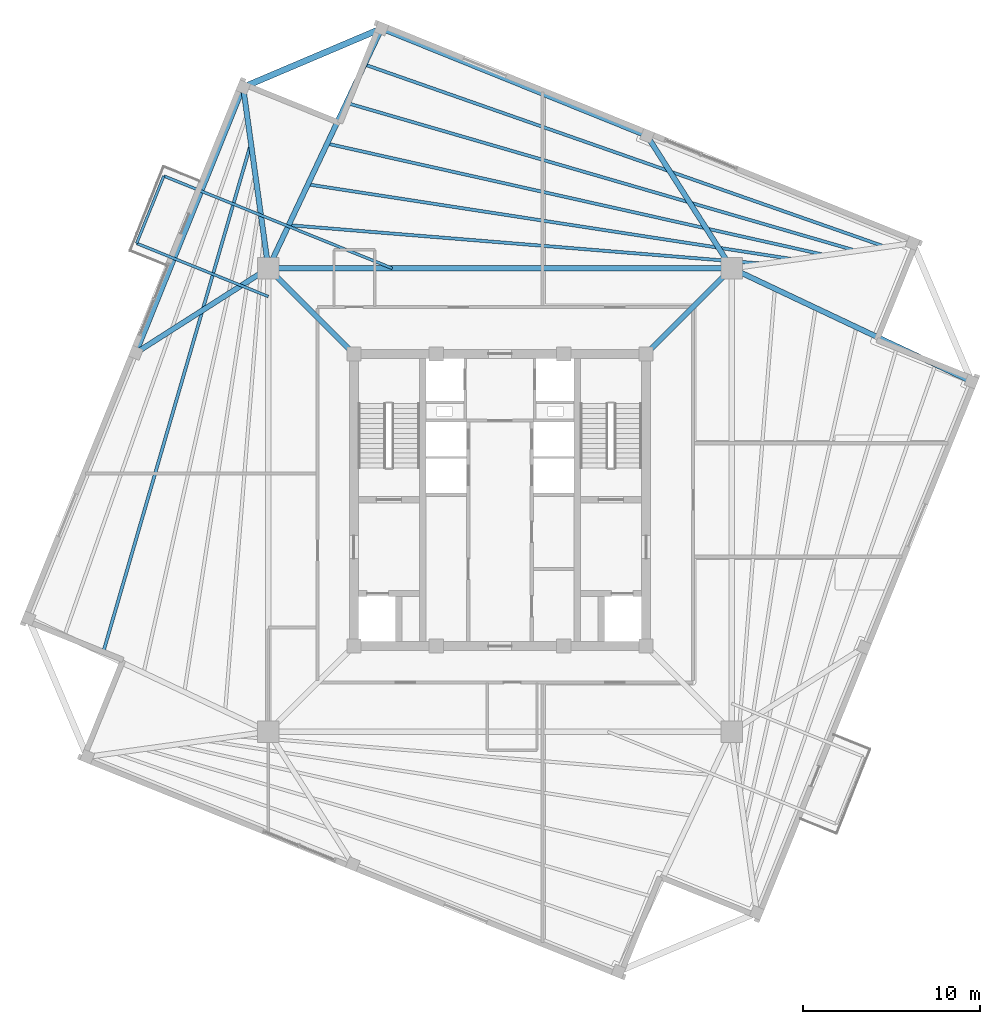
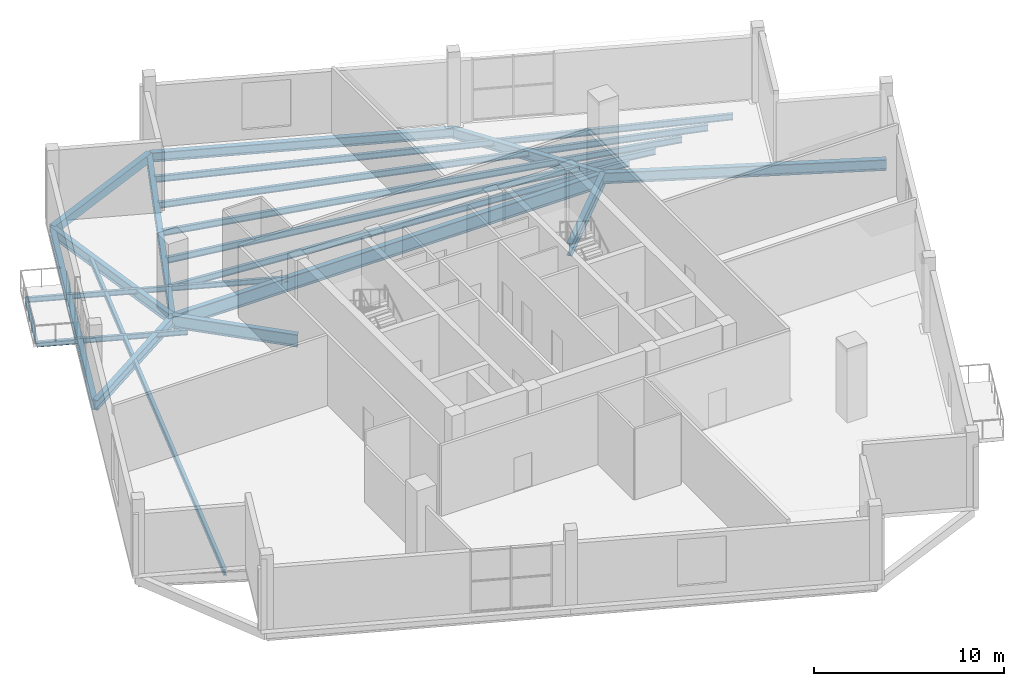
# One storey, part 5 of 12: 20 beams.
"""IFC4 building model written with IfcOpenShell, lengths in metres."""

from ifc_helpers import new_model, si_unit, direction, frame, origin, origin_2d, place, context, subcontext, project, spatial, rectangle, i_section, extrude, source, transform, mapped, material, material_profile, profile_set, type_object, element, save


model = new_model("IFC4")

# Units and contexts
model_context = context("Model", 3, precision=1e-05, world=origin(), true_north=direction((0.0, 1.0)))
body_context = subcontext(model_context, "Body", "Model", "MODEL_VIEW")
ifc_project = project(units=[si_unit("LENGTHUNIT", "METRE"), si_unit("AREAUNIT", "SQUARE_METRE"), si_unit("VOLUMEUNIT", "CUBIC_METRE"), si_unit("PLANEANGLEUNIT", "RADIAN"), si_unit("MASSUNIT", "GRAM", prefix="KILO"), si_unit("THERMODYNAMICTEMPERATUREUNIT", "KELVIN")], contexts=[model_context])

# Site, building, storey
site_placement = place(None, origin())
site = spatial("IfcSite", under=ifc_project, at=site_placement, CompositionType="ELEMENT")
building_placement = place(site_placement, origin())
building = spatial("IfcBuilding", under=site, at=building_placement, Name="Kosmvard Interchange Tower", CompositionType="ELEMENT")
storey_placement = place(building_placement, frame((0.0, 0.0, 312.0)))
storey = spatial("IfcBuildingStorey", under=building, at=storey_placement, Name="L77", CompositionType="ELEMENT", Elevation=312.0)

# Beams
ifc_material_1 = material(Name="Steel S355", Category="steel")
ifc_material_profile_1 = material_profile(ifc_material_1, i_section(OverallWidth=0.14990234375, OverallDepth=0.300048828125, WebThickness=0.007080078125, FlangeThickness=0.0107421875, FilletRadius=0.014892578125, at=origin_2d()), Name="IPE 300")
ifc_profile_set_1 = profile_set([ifc_material_profile_1], Name="Steel S355")
beam_type_1 = type_object("IfcBeamType", Name="Balcony Edge Header Joist IPE 300 S355", PredefinedType="JOIST", material=ifc_profile_set_1)
shared_shape_1 = source(origin(), body_context, "Body", "SweptSolid", [
    extrude(i_section(OverallWidth=0.14990234375, OverallDepth=0.300048828125, WebThickness=0.007080078125, FlangeThickness=0.0107421875, FilletRadius=0.014892578125, at=origin_2d()), origin(), (0.0, 0.0, 1.0), 4.10009765625),
])
beam_1_placement = place(storey_placement, frame((-18.979736328125, 18.2919921875, -0.39990234375), z_axis=(-0.37460186541, -0.927185764791, 0.0), x_axis=(0.927185764791, -0.37460186541, 0.0)))
element("IfcBeam", 1, at=beam_1_placement, inside=storey, type_object=beam_type_1, Name="BM-L77-BJH1", PredefinedType="JOIST", context=body_context, shape_type="MappedRepresentation", body=[
    mapped(shared_shape_1, transform((0.0, 0.0, 0.0), scale=1.0)),
])
ifc_material_profile_2 = material_profile(ifc_material_1, i_section(OverallWidth=0.300048828125, OverallDepth=0.800048828125, WebThickness=0.017578125, FlangeThickness=0.032958984375, FilletRadius=0.027099609375, at=origin_2d()), Name="HEB 800")
ifc_profile_set_2 = profile_set([ifc_material_profile_2], Name="Steel S355")
beam_type_2 = type_object("IfcBeamType", Name="Primary Mega-Frame Girder HEB 800 S355", PredefinedType="BEAM", material=ifc_profile_set_2)
shared_shape_2 = source(origin(), body_context, "Body", "SweptSolid", [
    extrude(i_section(OverallWidth=0.300048828125, OverallDepth=0.800048828125, WebThickness=0.017578125, FlangeThickness=0.032958984375, FilletRadius=0.027099609375, at=origin_2d()), origin(), (0.0, 0.0, 1.0), 6.83203125),
])
for number, where, z_axis, x_axis, name in (
    (2, (8.25, 8.25, -0.64990234375), (0.707106781187, 0.707106781187, 0.0), (-0.707106781187, 0.707106781187, 0.0), "L77 Radial Mega-Frame Girder 3"),
    (3, (-8.25, 8.25, -0.64990234375), (-0.707106781187, 0.707106781187, 0.0), (-0.707106781187, -0.707106781187, 0.0), "L77 Radial Mega-Frame Girder 4"),
):
    element("IfcBeam", number, at=place(storey_placement, frame(where, z_axis=z_axis, x_axis=x_axis)), inside=storey, type_object=beam_type_2, Name=name, PredefinedType="BEAM", context=body_context, shape_type="MappedRepresentation", body=[
        mapped(shared_shape_2, transform((0.0, 0.0, 0.0), scale=1.0)),
    ])
ifc_material_profile_3 = material_profile(ifc_material_1, i_section(OverallWidth=0.300048828125, OverallDepth=0.89990234375, WebThickness=0.0185546875, FlangeThickness=0.034912109375, FilletRadius=0.030029296875, at=origin_2d()), Name="HEB 900")
ifc_profile_set_3 = profile_set([ifc_material_profile_3], Name="Steel S355")
beam_type_3 = type_object("IfcBeamType", Name="Mega-Column Ring Girder HEB 900 S355", PredefinedType="BEAM", material=ifc_profile_set_3)
shared_shape_3 = source(origin(), body_context, "Body", "SweptSolid", [
    extrude(i_section(OverallWidth=0.300048828125, OverallDepth=0.89990234375, WebThickness=0.0185546875, FlangeThickness=0.034912109375, FilletRadius=0.030029296875, at=origin_2d()), origin(), (0.0, 0.0, 1.0), 26.162109375),
])
beam_2_placement = place(storey_placement, frame((13.0810546875, 13.0810546875, -0.699951171875), z_axis=(-1.0, 0.0, 0.0), x_axis=(0.0, -1.0, 0.0)))
element("IfcBeam", 4, at=beam_2_placement, inside=storey, type_object=beam_type_3, Name="L77 Mega-Column Ring Girder 3", PredefinedType="BEAM", context=body_context, shape_type="MappedRepresentation", body=[
    mapped(shared_shape_3, transform((0.0, 0.0, 0.0), scale=1.0)),
])
ifc_material_profile_4 = material_profile(ifc_material_1, i_section(OverallWidth=0.159912109375, OverallDepth=0.330078125, WebThickness=0.007568359375, FlangeThickness=0.011474609375, FilletRadius=0.01806640625, at=origin_2d()), Name="IPE 330")
ifc_profile_set_4 = profile_set([ifc_material_profile_4], Name="Steel S355")
beam_type_4 = type_object("IfcBeamType", Name="Balcony Cantilever Joist IPE 330 S355", PredefinedType="JOIST", material=ifc_profile_set_4)
shared_shape_4 = source(origin(), body_context, "Body", "SweptSolid", [
    extrude(i_section(OverallWidth=0.159912109375, OverallDepth=0.330078125, WebThickness=0.007568359375, FlangeThickness=0.011474609375, FilletRadius=0.01806640625, at=origin_2d()), origin(), (0.0, 0.0, 1.0), 13.910400390625),
])
beam_3_placement = place(storey_placement, frame((-6.082275390625, 13.0810546875, -0.4150390625), z_axis=(-0.927183229475, 0.374608140568, 0.0), x_axis=(-0.374608140568, -0.927183229475, 0.0)))
element("IfcBeam", 5, at=beam_3_placement, inside=storey, type_object=beam_type_4, Name="BM-L77-BJ1", PredefinedType="JOIST", context=body_context, shape_type="MappedRepresentation", body=[
    mapped(shared_shape_4, transform((0.0, 0.0, 0.0), scale=1.0)),
])
shared_shape_5 = source(origin(), body_context, "Body", "SweptSolid", [
    extrude(i_section(OverallWidth=0.159912109375, OverallDepth=0.330078125, WebThickness=0.007568359375, FlangeThickness=0.011474609375, FilletRadius=0.01806640625, at=origin_2d()), origin(), (0.0, 0.0, 1.0), 8.0185546875),
])
beam_4_placement = place(storey_placement, frame((-13.0810546875, 11.486572265625, -0.4150390625), z_axis=(-0.927177579424, 0.374622124564, 0.0), x_axis=(-0.374622124564, -0.927177579424, 0.0)))
element("IfcBeam", 6, at=beam_4_placement, inside=storey, type_object=beam_type_4, Name="BM-L77-BJB1", PredefinedType="JOIST", context=body_context, shape_type="MappedRepresentation", body=[
    mapped(shared_shape_5, transform((0.0, 0.0, 0.0), scale=1.0)),
])
ifc_material_profile_5 = material_profile(ifc_material_1, i_section(OverallWidth=0.300048828125, OverallDepth=0.60009765625, WebThickness=0.015380859375, FlangeThickness=0.030029296875, FilletRadius=0.027099609375, at=origin_2d()), Name="HEB 600")
ifc_profile_set_5 = profile_set([ifc_material_profile_5], Name="Steel S355")
beam_type_5 = type_object("IfcBeamType", Name="Perimeter Tie Girder HEB 600 S355", PredefinedType="BEAM", material=ifc_profile_set_5)
shared_shape_6 = source(origin(), body_context, "Body", "SweptSolid", [
    extrude(i_section(OverallWidth=0.300048828125, OverallDepth=0.60009765625, WebThickness=0.015380859375, FlangeThickness=0.030029296875, FilletRadius=0.027099609375, at=origin_2d()), origin(), (0.0, 0.0, 1.0), 16.175048828125),
])
beam_5_placement = place(storey_placement, frame((-14.5009765625, 23.30419921875, -0.550048828125), z_axis=(-0.374607540279, -0.927183472009, 0.0), x_axis=(0.927183472009, -0.374607540279, 0.0)))
element("IfcBeam", 7, at=beam_5_placement, inside=storey, type_object=beam_type_5, Name="BM-L77-PR07", PredefinedType="BEAM", context=body_context, shape_type="MappedRepresentation", body=[
    mapped(shared_shape_6, transform((0.0, 0.0, 0.0), scale=1.0)),
])
ifc_material_profile_6 = material_profile(ifc_material_1, i_section(OverallWidth=0.300048828125, OverallDepth=0.64990234375, WebThickness=0.01611328125, FlangeThickness=0.031005859375, FilletRadius=0.027099609375, at=origin_2d()), Name="HEB 650")
ifc_profile_set_6 = profile_set([ifc_material_profile_6], Name="Steel S355")
beam_type_6 = type_object("IfcBeamType", Name="Primary Floor Girder HEB 650 S355", PredefinedType="BEAM", material=ifc_profile_set_6)
shared_shape_7 = source(origin(), body_context, "Body", "SweptSolid", [
    extrude(i_section(OverallWidth=0.300048828125, OverallDepth=0.64990234375, WebThickness=0.01611328125, FlangeThickness=0.031005859375, FilletRadius=0.027099609375, at=origin_2d()), origin(), (0.0, 0.0, 1.0), 10.3212890625),
])
beam_6_placement = place(storey_placement, frame((-13.0810546875, 13.0810546875, -0.574951171875), z_axis=(-0.137572239014, 0.990491735984, 0.0), x_axis=(-0.990491735984, -0.137572239014, 0.0)))
element("IfcBeam", 8, at=beam_6_placement, inside=storey, type_object=beam_type_6, Name="BM-L77-RD07", PredefinedType="BEAM", context=body_context, shape_type="MappedRepresentation", body=[
    mapped(shared_shape_7, transform((0.0, 0.0, 0.0), scale=1.0)),
])
shared_shape_8 = source(origin(), body_context, "Body", "SweptSolid", [
    extrude(i_section(OverallWidth=0.300048828125, OverallDepth=0.60009765625, WebThickness=0.015380859375, FlangeThickness=0.030029296875, FilletRadius=0.027099609375, at=origin_2d()), origin(), (0.0, 0.0, 1.0), 16.1748046875),
])
beam_7_placement = place(storey_placement, frame((8.306884765625, 20.560302734375, -0.550048828125), z_axis=(-0.92718135387, 0.374612782798, 0.0), x_axis=(-0.374612782798, -0.92718135387, 0.0)))
element("IfcBeam", 9, at=beam_7_placement, inside=storey, type_object=beam_type_5, Name="BM-L77-PR05", PredefinedType="BEAM", context=body_context, shape_type="MappedRepresentation", body=[
    mapped(shared_shape_8, transform((0.0, 0.0, 0.0), scale=1.0)),
])
shared_shape_9 = source(origin(), body_context, "Body", "SweptSolid", [
    extrude(i_section(OverallWidth=0.300048828125, OverallDepth=0.64990234375, WebThickness=0.01611328125, FlangeThickness=0.031005859375, FilletRadius=0.027099609375, at=origin_2d()), origin(), (0.0, 0.0, 1.0), 8.873046875),
])
for number, where, z_axis, x_axis, name in (
    (10, (13.0810546875, 13.0810546875, -0.574951171875), (-0.538050011119, 0.842912916934, 0.0), (-0.842912916934, -0.538050011119, 0.0), "BM-L77-RD05"),
    (11, (-13.0810546875, 13.0810546875, -0.574951171875), (-0.842912916934, -0.538050011119, 0.0), (0.538050011119, -0.842912916934, 0.0), "BM-L77-RD08"),
):
    element("IfcBeam", number, at=place(storey_placement, frame(where, z_axis=z_axis, x_axis=x_axis)), inside=storey, type_object=beam_type_6, Name=name, PredefinedType="BEAM", context=body_context, shape_type="MappedRepresentation", body=[
        mapped(shared_shape_9, transform((0.0, 0.0, 0.0), scale=1.0)),
    ])
ifc_material_2 = material(Name="Precast concrete C45/55", Category="concrete")
ifc_material_profile_7 = material_profile(ifc_material_2, rectangle(XDim=0.35009765625, YDim=0.550048828125, at=origin_2d()), Name="SL 350x550")
ifc_profile_set_7 = profile_set([ifc_material_profile_7], Name="Precast concrete C45/55")
beam_type_7 = type_object("IfcBeamType", Name="Precast Spandrel Lintel 350x550 C45/55", PredefinedType="LINTEL", material=ifc_profile_set_7)
shared_shape_10 = source(origin(), body_context, "Body", "SweptSolid", [
    extrude(rectangle(XDim=0.35009765625, YDim=0.550048828125, at=origin_2d()), origin(), (0.0, 0.0, 1.0), 8.4853515625),
])
beam_8_placement = place(storey_placement, frame((-6.690185546875, 26.61962890625, -0.52490234375), z_axis=(-0.920507159025, -0.390725696857, 0.0), x_axis=(0.390725696857, -0.920507159025, 0.0)))
element("IfcBeam", 12, at=beam_8_placement, inside=storey, type_object=beam_type_7, Name="BM-L77-SL2", PredefinedType="LINTEL", context=body_context, shape_type="MappedRepresentation", body=[
    mapped(shared_shape_10, transform((0.0, 0.0, 0.0), scale=1.0)),
])
ifc_material_profile_8 = material_profile(ifc_material_1, i_section(OverallWidth=0.300048828125, OverallDepth=0.699951171875, WebThickness=0.01708984375, FlangeThickness=0.031982421875, FilletRadius=0.027099609375, at=origin_2d()), Name="HEB 700")
ifc_profile_set_8 = profile_set([ifc_material_profile_8], Name="Steel S355")
beam_type_8 = type_object("IfcBeamType", Name="Primary Floor Girder HEB 700 S355", PredefinedType="BEAM", material=ifc_profile_set_8)
shared_shape_11 = source(origin(), body_context, "Body", "SweptSolid", [
    extrude(i_section(OverallWidth=0.300048828125, OverallDepth=0.699951171875, WebThickness=0.01708984375, FlangeThickness=0.031982421875, FilletRadius=0.027099609375, at=origin_2d()), origin(), (0.0, 0.0, 1.0), 14.97119140625),
])
for number, where, z_axis, x_axis, name in (
    (13, (13.0810546875, 13.0810546875, -0.60009765625), (0.904309155001, -0.426878146761, 0.0), (0.426878146761, 0.904309155001, 0.0), "BM-L77-RD03"),
    (14, (-13.0810546875, 13.0810546875, -0.60009765625), (0.426878146761, 0.904309155001, 0.0), (-0.904309155001, 0.426878146761, 0.0), "BM-L77-RD06"),
):
    element("IfcBeam", number, at=place(storey_placement, frame(where, z_axis=z_axis, x_axis=x_axis)), inside=storey, type_object=beam_type_8, Name=name, PredefinedType="BEAM", context=body_context, shape_type="MappedRepresentation", body=[
        mapped(shared_shape_11, transform((0.0, 0.0, 0.0), scale=1.0)),
    ])
ifc_material_profile_9 = material_profile(ifc_material_1, i_section(OverallWidth=0.179931640625, OverallDepth=0.39990234375, WebThickness=0.008544921875, FlangeThickness=0.013427734375, FilletRadius=0.02099609375, at=origin_2d()), Name="IPE 400")
ifc_profile_set_9 = profile_set([ifc_material_profile_9], Name="Steel S355")
beam_type_9 = type_object("IfcBeamType", Name="Upper-Zone Floor Joist IPE 400 S355", PredefinedType="JOIST", material=ifc_profile_set_9)
shared_shape_12 = source(origin(), body_context, "Body", "SweptSolid", [
    extrude(i_section(OverallWidth=0.179931640625, OverallDepth=0.39990234375, WebThickness=0.008544921875, FlangeThickness=0.013427734375, FilletRadius=0.02099609375, at=origin_2d()), origin(), (0.0, 0.0, 1.0), 26.780029296875),
])
beam_9_placement = place(storey_placement, frame((14.84130859375, 13.343017578125, -0.449951171875), z_axis=(-0.996716313679, 0.080972773487, 0.0), x_axis=(-0.080972773487, -0.996716313679, 0.0)))
element("IfcBeam", 15, at=beam_9_placement, inside=storey, type_object=beam_type_9, Name="BM-L77-FJ06", PredefinedType="JOIST", context=body_context, shape_type="MappedRepresentation", body=[
    mapped(shared_shape_12, transform((0.0, 0.0, 0.0), scale=1.0)),
])
shared_shape_13 = source(origin(), body_context, "Body", "SweptSolid", [
    extrude(i_section(OverallWidth=0.179931640625, OverallDepth=0.39990234375, WebThickness=0.008544921875, FlangeThickness=0.013427734375, FilletRadius=0.02099609375, at=origin_2d()), origin(), (0.0, 0.0, 1.0), 27.66845703125),
])
beam_10_placement = place(storey_placement, frame((16.580078125, 13.590087890625, -0.449951171875), z_axis=(-0.988315525456, 0.152421855854, 0.0), x_axis=(-0.152421855854, -0.988315525456, 0.0)))
element("IfcBeam", 16, at=beam_10_placement, inside=storey, type_object=beam_type_9, Name="BM-L77-FJ07", PredefinedType="JOIST", context=body_context, shape_type="MappedRepresentation", body=[
    mapped(shared_shape_13, transform((0.0, 0.0, 0.0), scale=1.0)),
])
shared_shape_14 = source(origin(), body_context, "Body", "SweptSolid", [
    extrude(i_section(OverallWidth=0.179931640625, OverallDepth=0.39990234375, WebThickness=0.008544921875, FlangeThickness=0.013427734375, FilletRadius=0.02099609375, at=origin_2d()), origin(), (0.0, 0.0, 1.0), 28.691162109375),
])
beam_11_placement = place(storey_placement, frame((18.31884765625, 13.8369140625, -0.449951171875), z_axis=(-0.975855972899, 0.218415018158, 0.0), x_axis=(-0.218415018158, -0.975855972899, 0.0)))
element("IfcBeam", 17, at=beam_11_placement, inside=storey, type_object=beam_type_9, Name="BM-L77-FJ08", PredefinedType="JOIST", context=body_context, shape_type="MappedRepresentation", body=[
    mapped(shared_shape_14, transform((0.0, 0.0, 0.0), scale=1.0)),
])
shared_shape_15 = source(origin(), body_context, "Body", "SweptSolid", [
    extrude(i_section(OverallWidth=0.179931640625, OverallDepth=0.39990234375, WebThickness=0.008544921875, FlangeThickness=0.013427734375, FilletRadius=0.02099609375, at=origin_2d()), origin(), (0.0, 0.0, 1.0), 29.83544921875),
])
for number, where, z_axis, x_axis, name in (
    (18, (20.05810546875, 14.0830078125, -0.449951171875), (-0.960356191717, 0.27877586881, 0.0), (-0.27877586881, -0.960356191717, 0.0), "BM-L77-FJ09"),
    (19, (-14.0830078125, 20.05810546875, -0.449951171875), (-0.27877586881, -0.960356191717, 0.0), (0.960356191717, -0.27877586881, 0.0), "BM-L77-FJ14"),
):
    element("IfcBeam", number, at=place(storey_placement, frame(where, z_axis=z_axis, x_axis=x_axis)), inside=storey, type_object=beam_type_9, Name=name, PredefinedType="JOIST", context=body_context, shape_type="MappedRepresentation", body=[
        mapped(shared_shape_15, transform((0.0, 0.0, 0.0), scale=1.0)),
    ])
shared_shape_16 = source(origin(), body_context, "Body", "SweptSolid", [
    extrude(i_section(OverallWidth=0.179931640625, OverallDepth=0.39990234375, WebThickness=0.008544921875, FlangeThickness=0.013427734375, FilletRadius=0.02099609375, at=origin_2d()), origin(), (0.0, 0.0, 1.0), 31.0107421875),
])
beam_12_placement = place(storey_placement, frame((21.695068359375, 14.314453125, -0.449951171875), z_axis=(-0.943820055713, 0.330459834828, 0.0), x_axis=(-0.330459834828, -0.943820055713, 0.0)))
element("IfcBeam", 20, at=beam_12_placement, inside=storey, type_object=beam_type_9, Name="BM-L77-FJ10", PredefinedType="JOIST", context=body_context, shape_type="MappedRepresentation", body=[
    mapped(shared_shape_16, transform((0.0, 0.0, 0.0), scale=1.0)),
])

save(model, "model.ifc")
